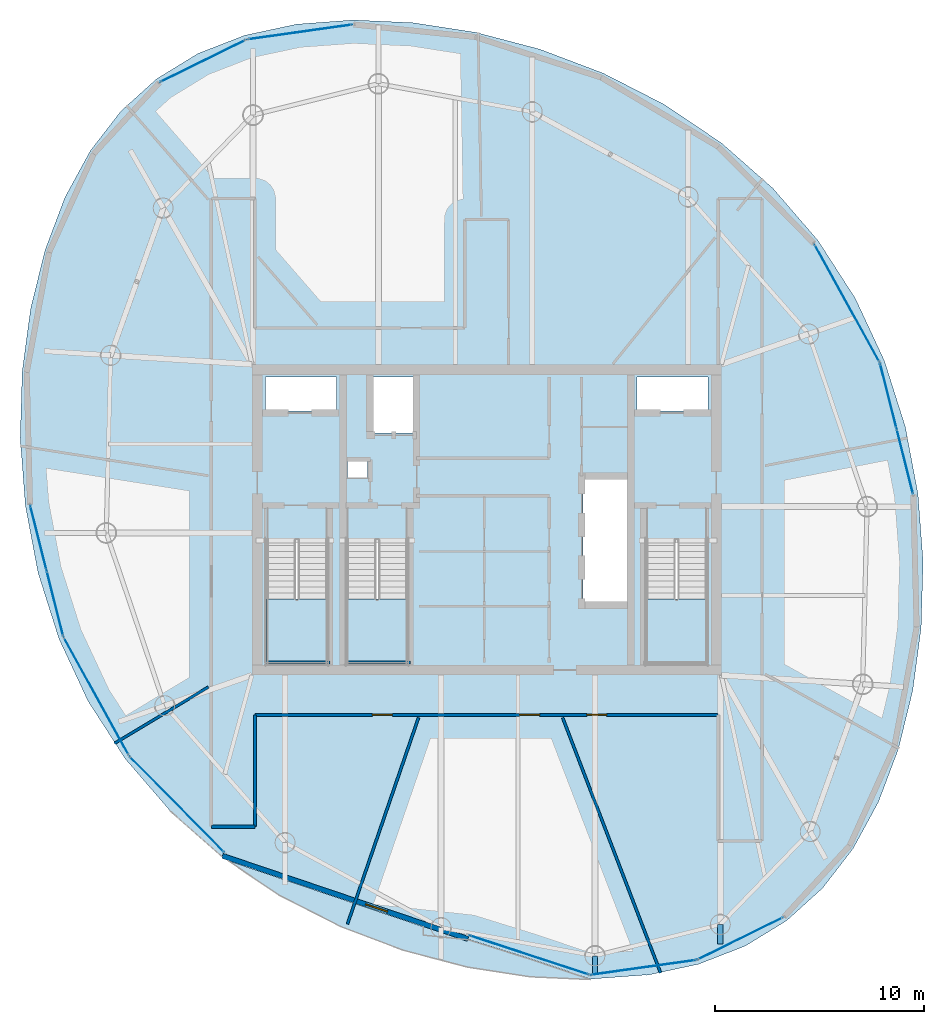
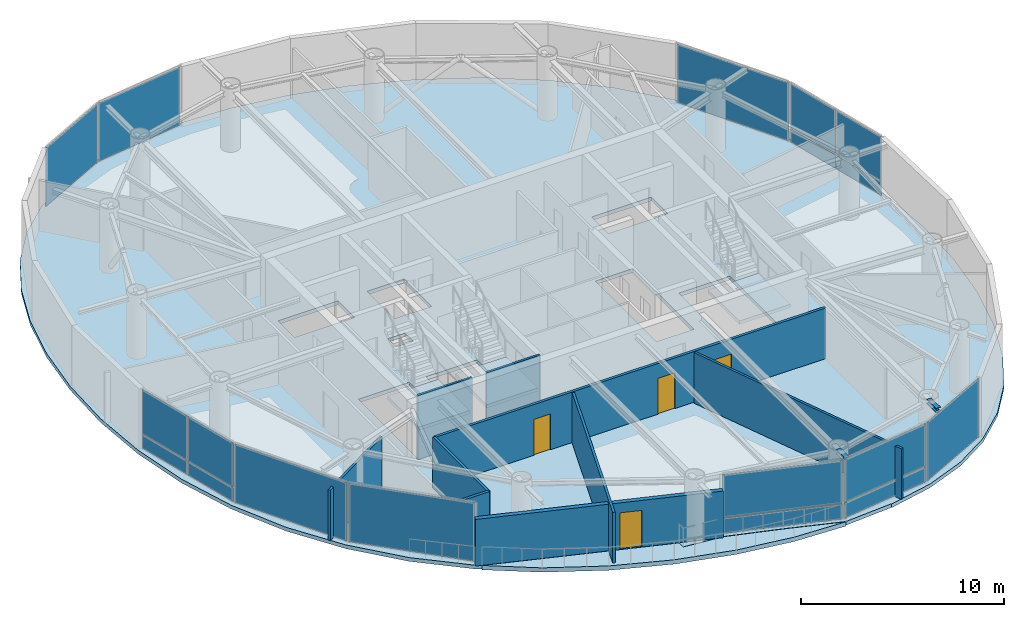
# One storey, part 14 of 20: 18 plates, 9 walls, 5 slabs, 4 doors, 2 beams, 4 openings, 13 elements without a shape of their own.
"""IFC4 building model written with IfcOpenShell, lengths in metres."""

from ifc_helpers import new_model, si_unit, direction, frame, frame_2d, origin, origin_2d, place, context, subcontext, project, spatial, polyline, rectangle, i_section, outline, extrude, material, layer, layer_set, material_profile, profile_set, type_object, element, fill, aggregate, save


model = new_model("IFC4")

# Units and contexts
model_context = context("Model", 3, precision=1e-05, world=origin(), true_north=direction((0.0, 1.0)))
body_context = subcontext(model_context, "Body", "Model", "MODEL_VIEW")
ifc_project = project(units=[si_unit("LENGTHUNIT", "METRE"), si_unit("AREAUNIT", "SQUARE_METRE"), si_unit("VOLUMEUNIT", "CUBIC_METRE"), si_unit("PLANEANGLEUNIT", "RADIAN"), si_unit("MASSUNIT", "GRAM", prefix="KILO")], contexts=[model_context])

# Site, building, storey
site_placement = place(None, origin())
site = spatial("IfcSite", under=ifc_project, at=site_placement, CompositionType="ELEMENT")
building_placement = place(site_placement, origin())
building = spatial("IfcBuilding", under=site, at=building_placement, Name="Bramvorn Convention Spire", CompositionType="ELEMENT")
storey_placement = place(building_placement, frame((0.0, 0.0, 245.89990234375)))
storey = spatial("IfcBuildingStorey", under=building, at=storey_placement, Name="L62", CompositionType="ELEMENT", Elevation=245.89990234375)

# Beams
ifc_material_1 = material(Name="Steel CSA G40.21 Grade 350 (350W)", Category="steel")
ifc_material_profile = material_profile(ifc_material_1, i_section(OverallWidth=0.25390625, OverallDepth=0.2529296875, WebThickness=0.008544921875, FlangeThickness=0.01416015625, FilletRadius=0.011962890625, at=origin_2d()))
ifc_profile_set = profile_set([ifc_material_profile], Name="Steel CSA G40.21 Grade 350 (350W) - W250X73")
beam_type = type_object("IfcBeamType", Name="BM-W250X73", PredefinedType="BEAM", material=ifc_profile_set)
beam_1_placement = place(storey_placement, frame((49.199951171875, 6.60107421875, 3.49853515625), z_axis=(0.0, -1.0, 0.0), x_axis=(1.0, 0.0, 0.0)))
element("IfcBeam", 1, at=beam_1_placement, inside=storey, type_object=beam_type, Name="L62 slab-edge cantilever tip beam MC01", PredefinedType="BEAM", context=body_context, shape_type="SweptSolid", body=[
    extrude(i_section(OverallWidth=0.25390625, OverallDepth=0.2529296875, WebThickness=0.008544921875, FlangeThickness=0.01416015625, FilletRadius=0.011962890625, at=origin_2d()), origin(), (0.0, 0.0, 1.0), 0.927978515625),
])
beam_2_placement = place(storey_placement, frame((43.1884765625, 5.09912109375, 3.49853515625), z_axis=(0.0, -1.0, 0.0), x_axis=(1.0, 0.0, 0.0)))
element("IfcBeam", 2, at=beam_2_placement, inside=storey, type_object=beam_type, Name="L62 slab-edge cantilever tip beam MC16", PredefinedType="BEAM", context=body_context, shape_type="SweptSolid", body=[
    extrude(i_section(OverallWidth=0.25390625, OverallDepth=0.2529296875, WebThickness=0.008544921875, FlangeThickness=0.01416015625, FilletRadius=0.011962890625, at=origin_2d()), origin(), (0.0, 0.0, 1.0), 0.869140625),
])

# Curtain wall, plates
ifc_material_2 = material(Name="Anodised Bronze Unitised Curtain Wall", Category="aluminium")
ifc_layer_1 = layer(ifc_material_2, 0.179931640625)
ifc_layer_set_1 = layer_set([ifc_layer_1], Name="Anodised Bronze Unitised Curtain Wall - CW-OFF-FRIT")
curtain_wall_type_1 = type_object("IfcCurtainWallType", Name="CW-OFF-FRIT", PredefinedType="USERDEFINED", material=ifc_layer_set_1)
curtain_wall_1_placement = place(storey_placement, origin())
curtain_wall_1 = element("IfcCurtainWall", 3, at=curtain_wall_1_placement, inside=storey, type_object=curtain_wall_type_1, Name="L62 fritted glass curtain wall 05", ObjectType="UNITISED CURTAIN WALL", PredefinedType="USERDEFINED")
ifc_material_3 = material(Name="Laminated Low-E Glass (Triple IGU High-VLT Low-Iron 22%)", Category="glass")
ifc_layer_2 = layer(ifc_material_3, 0.0419921875)
ifc_layer_set_2 = layer_set([ifc_layer_2], Name="Laminated Low-E Glass (Triple IGU High-VLT Low-Iron 22%) - PNL-IGU-4")
plate_type_1 = type_object("IfcPlateType", Name="PNL-IGU-4", PredefinedType="CURTAIN_PANEL", material=ifc_layer_set_2)
plate_1_placement = place(storey_placement, frame((57.2548828125, 31.930419921875, 0.06005859375), z_axis=(0.0, 0.0, 1.0), x_axis=(0.245181070619, -0.969477303814, 0.0)))
plate_1 = element("IfcPlate", 4, at=plate_1_placement, type_object=plate_type_1, Name="CW3 panel 1.1", PredefinedType="CURTAIN_PANEL", context=body_context, shape_type="SweptSolid", body=[
    extrude(rectangle(XDim=3.173095703125, YDim=0.028076171875, at=origin_2d()), origin(), (0.0, 0.0, 1.0), 0.81005859375),
])
plate_2_placement = place(storey_placement, frame((57.2548828125, 31.930419921875, 0.93017578125), z_axis=(0.0, 0.0, 1.0), x_axis=(0.245181070619, -0.969477303814, 0.0)))
plate_2 = element("IfcPlate", 5, at=plate_2_placement, type_object=plate_type_1, Name="CW3 panel 1.2", PredefinedType="CURTAIN_PANEL", context=body_context, shape_type="SweptSolid", body=[
    extrude(rectangle(XDim=3.173095703125, YDim=0.028076171875, at=origin_2d()), origin(), (0.0, 0.0, 1.0), 2.635009765625),
])
plate_3_placement = place(storey_placement, frame((58.047607421875, 28.796142578125, 0.06005859375), z_axis=(0.0, 0.0, 1.0), x_axis=(0.245181070619, -0.969477303814, 0.0)))
plate_3 = element("IfcPlate", 6, at=plate_3_placement, type_object=plate_type_1, Name="CW3 panel 2.1", PredefinedType="CURTAIN_PANEL", context=body_context, shape_type="SweptSolid", body=[
    extrude(rectangle(XDim=3.173095703125, YDim=0.028076171875, at=origin_2d()), origin(), (0.0, 0.0, 1.0), 0.81005859375),
])
plate_4_placement = place(storey_placement, frame((58.047607421875, 28.796142578125, 0.93017578125), z_axis=(0.0, 0.0, 1.0), x_axis=(0.245181070619, -0.969477303814, 0.0)))
plate_4 = element("IfcPlate", 7, at=plate_4_placement, type_object=plate_type_1, Name="CW3 panel 2.2", PredefinedType="CURTAIN_PANEL", context=body_context, shape_type="SweptSolid", body=[
    extrude(rectangle(XDim=3.173095703125, YDim=0.028076171875, at=origin_2d()), origin(), (0.0, 0.0, 1.0), 2.635009765625),
])
aggregate(curtain_wall_1, [plate_1, plate_2, plate_3, plate_4])

# Curtain wall, plate
curtain_wall_2_placement = place(storey_placement, origin())
curtain_wall_2 = element("IfcCurtainWall", 8, at=curtain_wall_2_placement, inside=storey, type_object=curtain_wall_type_1, Name="L62 fritted glass curtain wall 06", ObjectType="UNITISED CURTAIN WALL", PredefinedType="USERDEFINED")
plate_5_placement = place(storey_placement, frame((55.27294921875, 36.38330078125, 0.06005859375), z_axis=(0.0, 0.0, 1.0), x_axis=(0.483564107264, -0.875308947838, 0.0)))
plate_5 = element("IfcPlate", 9, at=plate_5_placement, type_object=plate_type_1, Name="CW3 panel 1.1", PredefinedType="CURTAIN_PANEL", context=body_context, shape_type="SweptSolid", body=[
    extrude(rectangle(XDim=6.406982421875, YDim=0.028076171875, at=origin_2d()), origin(), (0.0, 0.0, 1.0), 3.5048828125),
])
aggregate(curtain_wall_2, [plate_5])

curtain_wall_3_placement = place(storey_placement, origin())
curtain_wall_3 = element("IfcCurtainWall", 10, at=curtain_wall_3_placement, inside=storey, type_object=curtain_wall_type_1, Name="L62 fritted glass curtain wall 11", ObjectType="UNITISED CURTAIN WALL", PredefinedType="USERDEFINED")
plate_6_placement = place(storey_placement, frame((29.052734375, 49.380615234375, 0.06005859375), z_axis=(0.0, 0.0, 1.0), x_axis=(0.99027923866, 0.139093599703, 0.0)))
plate_6 = element("IfcPlate", 11, at=plate_6_placement, type_object=plate_type_1, Name="CW3 panel 1.1", PredefinedType="CURTAIN_PANEL", context=body_context, shape_type="SweptSolid", body=[
    extrude(rectangle(XDim=5.059326171875, YDim=0.028076171875, at=origin_2d()), origin(), (0.0, 0.0, 1.0), 3.5048828125),
])
aggregate(curtain_wall_3, [plate_6])

curtain_wall_4_placement = place(storey_placement, origin())
curtain_wall_4 = element("IfcCurtainWall", 12, at=curtain_wall_4_placement, inside=storey, type_object=curtain_wall_type_1, Name="L62 fritted glass curtain wall 12", ObjectType="UNITISED CURTAIN WALL", PredefinedType="USERDEFINED")
plate_7_placement = place(storey_placement, frame((24.403076171875, 47.99169921875, 0.06005859375), z_axis=(0.0, 0.0, 1.0), x_axis=(0.896839553735, 0.442355982051, 0.0)))
plate_7 = element("IfcPlate", 13, at=plate_7_placement, type_object=plate_type_1, Name="CW3 panel 1.1", PredefinedType="CURTAIN_PANEL", context=body_context, shape_type="SweptSolid", body=[
    extrude(rectangle(XDim=4.530517578125, YDim=0.028076171875, at=origin_2d()), origin(), (0.0, 0.0, 1.0), 3.5048828125),
])
aggregate(curtain_wall_4, [plate_7])

# Curtain wall, plates
curtain_wall_5_placement = place(storey_placement, origin())
curtain_wall_5 = element("IfcCurtainWall", 14, at=curtain_wall_5_placement, inside=storey, type_object=curtain_wall_type_1, Name="L62 fritted glass curtain wall 17", ObjectType="UNITISED CURTAIN WALL", PredefinedType="USERDEFINED")
plate_8_placement = place(storey_placement, frame((17.3076171875, 21.9912109375, 0.06005859375), z_axis=(0.0, 0.0, 1.0), x_axis=(-0.245181070619, 0.969477303814, 0.0)))
plate_8 = element("IfcPlate", 15, at=plate_8_placement, type_object=plate_type_1, Name="CW3 panel 1.1", PredefinedType="CURTAIN_PANEL", context=body_context, shape_type="SweptSolid", body=[
    extrude(rectangle(XDim=3.173095703125, YDim=0.028076171875, at=origin_2d()), origin(), (0.0, 0.0, 1.0), 0.81005859375),
])
plate_9_placement = place(storey_placement, frame((17.3076171875, 21.9912109375, 0.93017578125), z_axis=(0.0, 0.0, 1.0), x_axis=(-0.245181070619, 0.969477303814, 0.0)))
plate_9 = element("IfcPlate", 16, at=plate_9_placement, type_object=plate_type_1, Name="CW3 panel 1.2", PredefinedType="CURTAIN_PANEL", context=body_context, shape_type="SweptSolid", body=[
    extrude(rectangle(XDim=3.173095703125, YDim=0.028076171875, at=origin_2d()), origin(), (0.0, 0.0, 1.0), 2.635009765625),
])
plate_10_placement = place(storey_placement, frame((16.514892578125, 25.12548828125, 0.06005859375), z_axis=(0.0, 0.0, 1.0), x_axis=(-0.245181070619, 0.969477303814, 0.0)))
plate_10 = element("IfcPlate", 17, at=plate_10_placement, type_object=plate_type_1, Name="CW3 panel 2.1", PredefinedType="CURTAIN_PANEL", context=body_context, shape_type="SweptSolid", body=[
    extrude(rectangle(XDim=3.173095703125, YDim=0.028076171875, at=origin_2d()), origin(), (0.0, 0.0, 1.0), 0.81005859375),
])
plate_11_placement = place(storey_placement, frame((16.514892578125, 25.12548828125, 0.93017578125), z_axis=(0.0, 0.0, 1.0), x_axis=(-0.245181070619, 0.969477303814, 0.0)))
plate_11 = element("IfcPlate", 18, at=plate_11_placement, type_object=plate_type_1, Name="CW3 panel 2.2", PredefinedType="CURTAIN_PANEL", context=body_context, shape_type="SweptSolid", body=[
    extrude(rectangle(XDim=3.173095703125, YDim=0.028076171875, at=origin_2d()), origin(), (0.0, 0.0, 1.0), 2.635009765625),
])
aggregate(curtain_wall_5, [plate_8, plate_9, plate_10, plate_11])

# Curtain wall, plate
curtain_wall_6_placement = place(storey_placement, origin())
curtain_wall_6 = element("IfcCurtainWall", 19, at=curtain_wall_6_placement, inside=storey, type_object=curtain_wall_type_1, Name="L62 fritted glass curtain wall 18", ObjectType="UNITISED CURTAIN WALL", PredefinedType="USERDEFINED")
plate_12_placement = place(storey_placement, frame((19.289306640625, 17.538330078125, 0.06005859375), z_axis=(0.0, 0.0, 1.0), x_axis=(-0.483582330677, 0.875298880073, 0.0)))
plate_12 = element("IfcPlate", 20, at=plate_12_placement, type_object=plate_type_1, Name="CW3 panel 1.1", PredefinedType="CURTAIN_PANEL", context=body_context, shape_type="SweptSolid", body=[
    extrude(rectangle(XDim=6.406982421875, YDim=0.028076171875, at=origin_2d()), origin(), (0.0, 0.0, 1.0), 3.5048828125),
])
aggregate(curtain_wall_6, [plate_12])

curtain_wall_7_placement = place(storey_placement, origin())
curtain_wall_7 = element("IfcCurtainWall", 21, at=curtain_wall_7_placement, inside=storey, type_object=curtain_wall_type_1, Name="L62 fritted glass curtain wall 19", ObjectType="UNITISED CURTAIN WALL", PredefinedType="USERDEFINED")
plate_13_placement = place(storey_placement, frame((23.162353515625, 12.361328125, 0.06005859375), z_axis=(0.0, 0.0, 1.0), x_axis=(-0.703158315459, 0.711033320879, 0.0)))
plate_13 = element("IfcPlate", 22, at=plate_13_placement, type_object=plate_type_1, Name="CW3 panel 1.1", PredefinedType="CURTAIN_PANEL", context=body_context, shape_type="SweptSolid", body=[
    extrude(rectangle(XDim=6.406982421875, YDim=0.028076171875, at=origin_2d()), origin(), (0.0, 0.0, 1.0), 3.5048828125),
])
aggregate(curtain_wall_7, [plate_13])

curtain_wall_8_placement = place(storey_placement, origin())
curtain_wall_8 = element("IfcCurtainWall", 23, at=curtain_wall_8_placement, inside=storey, type_object=curtain_wall_type_1, Name="L62 fritted glass curtain wall 24", ObjectType="UNITISED CURTAIN WALL", PredefinedType="USERDEFINED")
plate_14_placement = place(storey_placement, frame((50.159423828125, 5.929931640625, 0.06005859375), z_axis=(0.0, 0.0, 1.0), x_axis=(-0.896843761258, -0.44234745155, 0.0)))
plate_14 = element("IfcPlate", 24, at=plate_14_placement, type_object=plate_type_1, Name="CW3 panel 1.1", PredefinedType="CURTAIN_PANEL", context=body_context, shape_type="SweptSolid", body=[
    extrude(rectangle(XDim=4.53076171875, YDim=0.028076171875, at=origin_2d()), origin(), (0.0, 0.0, 1.0), 3.5048828125),
])
aggregate(curtain_wall_8, [plate_14])

# Curtain wall, plates
ifc_layer_3 = layer(ifc_material_2, 0.219970703125)
ifc_layer_set_3 = layer_set([ifc_layer_3], Name="Anodised Bronze Unitised Curtain Wall - CW-SKYGARDEN")
curtain_wall_type_2 = type_object("IfcCurtainWallType", Name="CW-SKYGARDEN", PredefinedType="USERDEFINED", material=ifc_layer_set_3)
curtain_wall_9_placement = place(storey_placement, origin())
curtain_wall_9 = element("IfcCurtainWall", 25, at=curtain_wall_9_placement, inside=storey, type_object=curtain_wall_type_2, Name="L62 Sky Garden glazed facade 22", ObjectType="WINTER GARDEN GLAZING", PredefinedType="USERDEFINED")
ifc_material_4 = material(Name="Laminated Low-E Glass (Acoustic Laminated Podium Triple IGU)", Category="glass")
ifc_layer_4 = layer(ifc_material_4, 0.0458984375)
ifc_layer_set_4 = layer_set([ifc_layer_4], Name="Laminated Low-E Glass (Acoustic Laminated Podium Triple IGU) - PNL-IGU-5")
plate_type_2 = type_object("IfcPlateType", Name="PNL-IGU-5", PredefinedType="CURTAIN_PANEL", material=ifc_layer_set_4)
plate_15_placement = place(storey_placement, frame((40.03515625, 5.135498046875, 0.06005859375), z_axis=(0.0, 0.0, 1.0), x_axis=(-0.950206876186, 0.311619788282, 0.0)))
plate_15 = element("IfcPlate", 26, at=plate_15_placement, type_object=plate_type_2, Name="CW4 panel 1.1", PredefinedType="CURTAIN_PANEL", context=body_context, shape_type="SweptSolid", body=[
    extrude(rectangle(XDim=6.0048828125, YDim=0.028076171875, at=origin_2d()), origin(), (0.0, 0.0, 1.0), 0.909912109375),
])
plate_16_placement = place(storey_placement, frame((40.03515625, 5.135498046875, 1.0302734375), z_axis=(0.0, 0.0, 1.0), x_axis=(-0.950206876186, 0.311619788282, 0.0)))
plate_16 = element("IfcPlate", 27, at=plate_16_placement, type_object=plate_type_2, Name="CW4 panel 1.2", PredefinedType="CURTAIN_PANEL", context=body_context, shape_type="SweptSolid", body=[
    extrude(rectangle(XDim=6.0048828125, YDim=0.028076171875, at=origin_2d()), origin(), (0.0, 0.0, 1.0), 2.534912109375),
])
aggregate(curtain_wall_9, [plate_15, plate_16])

curtain_wall_10_placement = place(storey_placement, origin())
curtain_wall_10 = element("IfcCurtainWall", 28, at=curtain_wall_10_placement, inside=storey, type_object=curtain_wall_type_2, Name="L62 Sky Garden glazed facade 23", ObjectType="WINTER GARDEN GLAZING", PredefinedType="USERDEFINED")
plate_17_placement = place(storey_placement, frame((45.509521484375, 4.541259765625, 0.06005859375), z_axis=(0.0, 0.0, 1.0), x_axis=(-0.990281524517, -0.139077324534, 0.0)))
plate_17 = element("IfcPlate", 29, at=plate_17_placement, type_object=plate_type_2, Name="CW4 panel 1.1", PredefinedType="CURTAIN_PANEL", context=body_context, shape_type="SweptSolid", body=[
    extrude(rectangle(XDim=5.05908203125, YDim=0.028076171875, at=origin_2d()), origin(), (0.0, 0.0, 1.0), 0.909912109375),
])
plate_18_placement = place(storey_placement, frame((45.509521484375, 4.541259765625, 1.0302734375), z_axis=(0.0, 0.0, 1.0), x_axis=(-0.990281524517, -0.139077324534, 0.0)))
plate_18 = element("IfcPlate", 30, at=plate_18_placement, type_object=plate_type_2, Name="CW4 panel 1.2", PredefinedType="CURTAIN_PANEL", context=body_context, shape_type="SweptSolid", body=[
    extrude(rectangle(XDim=5.05908203125, YDim=0.028076171875, at=origin_2d()), origin(), (0.0, 0.0, 1.0), 2.534912109375),
])
aggregate(curtain_wall_10, [plate_17, plate_18])

# Slab
ifc_material_5 = material(Name="Concrete C40/50 Sky-Garden Terrace Slab", Category="concrete")
ifc_layer_5 = layer(ifc_material_5, 0.260009765625)
ifc_layer_set_5 = layer_set([ifc_layer_5], Name="Concrete C40/50 Sky-Garden Terrace Slab - SLB-SKYGARDEN-260")
slab_type_1 = type_object("IfcSlabType", Name="SLB-SKYGARDEN-260", PredefinedType="FLOOR", material=ifc_layer_set_5)
slab_1_placement = place(storey_placement, frame((0.0, 0.0, -0.260009765625)))
element("IfcSlab", 31, at=slab_1_placement, inside=storey, type_object=slab_type_1, Name="L62 planted double-height Sky Garden terrace slab", PredefinedType="FLOOR", context=body_context, shape_type="SweptSolid", body=[
    extrude(outline(polyline([(37.083984375, 4.56005859375), (40.091796875, 4.095703125), (42.974609375, 3.965087890625), (39.98388671875, 4.97265625), (37.095703125, 5.87158203125), (34.96240234375, 6.093505859375), (34.95556640625, 6.5), (25.5927734375, 9.668212890625), (28.05078125, 8.01220703125), (30.98193359375, 6.512939453125), (34.02099609375, 5.363525390625), (37.083984375, 4.56005859375)])), origin(), (0.0, 0.0, 1.0), 0.260009765625),
])

# Stair, slab
ifc_material_6 = material(Name="Concrete C40/50 Precast Stair", Category="concrete")
stair_type = type_object("IfcStairType", Name="ST-TOWER-1550", PredefinedType="HALF_TURN_STAIR", material=ifc_material_6)
stair_1_placement = place(storey_placement, origin())
stair_1 = element("IfcStair", 32, at=stair_1_placement, inside=storey, type_object=stair_type, Name="L62 Protected Exit Stair ST1", PredefinedType="HALF_TURN_STAIR")
ifc_material_7 = material(Name="Concrete C40/50 Stair Landing", Category="concrete")
ifc_layer_6 = layer(ifc_material_7, 0.219970703125)
ifc_layer_set_6 = layer_set([ifc_layer_6], Name="Concrete C40/50 Stair Landing - SLB-STAIR-LANDING")
slab_type_2 = type_object("IfcSlabType", Name="SLB-STAIR-LANDING", PredefinedType="LANDING", material=ifc_layer_set_6)
slab_2_placement = place(storey_placement, frame((0.0, 0.0, 1.72509765625)))
slab_2 = element("IfcSlab", 33, at=slab_2_placement, type_object=slab_type_2, Name="ST1 landing 1", PredefinedType="LANDING", context=body_context, shape_type="SweptSolid", body=[
    extrude(outline(polyline([(27.449951171875, 22.199951171875), (27.449951171875, 19.10009765625), (30.35009765625, 19.10009765625), (30.35009765625, 22.199951171875), (27.449951171875, 22.199951171875)])), origin(), (0.0, 0.0, 1.0), 0.199951171875),
])
aggregate(stair_1, [slab_2])

stair_2_placement = place(storey_placement, origin())
stair_2 = element("IfcStair", 34, at=stair_2_placement, inside=storey, type_object=stair_type, Name="L62 Protected Exit Stair ST2", PredefinedType="HALF_TURN_STAIR")
slab_3_placement = place(storey_placement, frame((0.0, 0.0, 1.72509765625)))
slab_3 = element("IfcSlab", 35, at=slab_3_placement, type_object=slab_type_2, Name="ST2 landing 1", PredefinedType="LANDING", context=body_context, shape_type="SweptSolid", body=[
    extrude(outline(polyline([(45.64990234375, 22.199951171875), (45.64990234375, 19.10009765625), (48.550048828125, 19.10009765625), (48.550048828125, 22.199951171875), (45.64990234375, 22.199951171875)])), origin(), (0.0, 0.0, 1.0), 0.199951171875),
])
aggregate(stair_2, [slab_3])

stair_3_placement = place(storey_placement, origin())
stair_3 = element("IfcStair", 36, at=stair_3_placement, inside=storey, type_object=stair_type, Name="L62 Protected Exit Stair ST3", PredefinedType="HALF_TURN_STAIR")
slab_4_placement = place(storey_placement, frame((0.0, 0.0, 1.72509765625)))
slab_4 = element("IfcSlab", 37, at=slab_4_placement, type_object=slab_type_2, Name="ST3 landing 1", PredefinedType="LANDING", context=body_context, shape_type="SweptSolid", body=[
    extrude(outline(polyline([(31.300048828125, 22.199951171875), (31.300048828125, 19.10009765625), (34.199951171875, 19.10009765625), (34.199951171875, 22.199951171875), (31.300048828125, 22.199951171875)])), origin(), (0.0, 0.0, 1.0), 0.199951171875),
])
aggregate(stair_3, [slab_4])

# Slab
ifc_material_8 = material(Name="Concrete C40/50", Category="concrete")
ifc_layer_7 = layer(ifc_material_8, 0.22509765625)
ifc_layer_set_7 = layer_set([ifc_layer_7], Name="Concrete C40/50 - SLB-Z4-225")
slab_type_3 = type_object("IfcSlabType", Name="SLB-Z4-225", PredefinedType="FLOOR", material=ifc_layer_set_7)
slab_5_placement = place(storey_placement, frame((0.0, 0.0, -0.224853515625)))
element("IfcSlab", 38, at=slab_5_placement, inside=storey, type_object=slab_type_3, Name="L62 tower floor slab", PredefinedType="FLOOR", context=body_context, shape_type="SweptSolid", body=[
    extrude(outline(polyline([(50.395751953125, 5.56982421875), (48.15869140625, 4.699462890625), (45.677001953125, 4.166015625), (45.656982421875, 4.16455078125), (45.67529296875, 4.18603515625), (42.977294921875, 3.9853515625), (39.990478515625, 4.99169921875), (37.1015625, 5.890869140625), (36.66552734375, 5.9384765625), (36.66552734375, 5.91845703125), (34.965576171875, 6.102783203125), (34.965576171875, 6.50732421875), (25.561279296875, 9.689453125), (25.30908203125, 9.859375), (22.8310546875, 12.043212890625), (20.67724609375, 14.53955078125), (18.890380859375, 17.310791015625), (17.4951171875, 20.304443359375), (16.497314453125, 23.4560546875), (15.88671875, 26.69140625), (15.64208984375, 29.93115234375), (15.736083984375, 33.0966796875), (16.139892578125, 36.113037109375), (16.82861328125, 38.915283203125), (17.7841796875, 41.450927734375), (18.99658203125, 43.68115234375), (20.46337890625, 45.58154296875), (22.185791015625, 47.139404296875), (24.16650390625, 48.351806640625), (26.403564453125, 49.222412109375), (28.885498046875, 49.755615234375), (31.587646484375, 49.95654296875), (34.470458984375, 49.826171875), (37.478271484375, 49.36181640625), (40.541259765625, 48.55810546875), (43.580322265625, 47.408935546875), (46.51171875, 45.90966796875), (49.253173828125, 44.0625), (51.731201171875, 41.878662109375), (53.885009765625, 39.382080078125), (55.671875, 36.611083984375), (57.067138671875, 33.617431640625), (58.065185546875, 30.4658203125), (58.67578125, 27.23046875), (58.92041015625, 23.990478515625), (58.826416015625, 20.8251953125), (58.422607421875, 17.808837890625), (57.733642578125, 15.00634765625), (56.778076171875, 12.470703125), (55.565673828125, 10.240478515625), (54.09912109375, 8.34033203125), (52.376708984375, 6.782470703125), (50.395751953125, 5.56982421875)]), holes=[polyline([(27.449951171875, 25.050048828125), (27.449951171875, 19.10009765625), (30.35009765625, 19.10009765625), (30.35009765625, 25.050048828125), (27.449951171875, 25.050048828125)]), polyline([(45.64990234375, 25.050048828125), (45.64990234375, 19.10009765625), (48.550048828125, 19.10009765625), (48.550048828125, 25.050048828125), (45.64990234375, 25.050048828125)]), polyline([(31.300048828125, 25.050048828125), (31.300048828125, 19.10009765625), (34.199951171875, 19.10009765625), (34.199951171875, 25.050048828125), (31.300048828125, 25.050048828125)]), polyline([(27.39990234375, 31.219970703125), (30.800048828125, 31.219970703125), (30.800048828125, 32.85009765625), (27.39990234375, 32.85009765625), (27.39990234375, 31.219970703125)]), polyline([(45.199951171875, 31.219970703125), (48.60009765625, 31.219970703125), (48.60009765625, 32.85009765625), (45.199951171875, 32.85009765625), (45.199951171875, 31.219970703125)]), polyline([(32.449951171875, 30.14990234375), (34.56005859375, 30.14990234375), (34.56005859375, 32.85009765625), (32.449951171875, 32.85009765625), (32.449951171875, 30.14990234375)]), polyline([(42.6201171875, 22.0), (44.75, 22.0), (44.75, 28.0), (42.6201171875, 28.0), (42.6201171875, 22.0)]), polyline([(31.320068359375, 28.02001953125), (32.280029296875, 28.02001953125), (32.280029296875, 28.820068359375), (31.320068359375, 28.820068359375), (31.320068359375, 28.02001953125)])]), origin(), (0.0, 0.0, 1.0), 0.224853515625),
])

# Wall, opening, door
ifc_material_9 = material(Name="Precast Concrete C40/50 Insulated Terrace Wall", Category="concrete")
ifc_layer_8 = layer(ifc_material_9, 0.280029296875)
ifc_layer_set_8 = layer_set([ifc_layer_8], Name="Precast Concrete C40/50 Insulated Terrace Wall - WL-EXT-TERR-280")
wall_type_1 = type_object("IfcWallType", Name="WL-EXT-TERR-280", PredefinedType="SOLIDWALL", material=ifc_layer_set_8)
wall_1_placement = place(storey_placement, frame((37.10107421875, 5.911376953125, 0.0), z_axis=(0.0, 0.0, 1.0), x_axis=(-0.947242597845, 0.320517489115, 0.0)))
wall_1 = element("IfcWall", 39, at=wall_1_placement, inside=storey, type_object=wall_type_1, Name="L62 Sky Garden recessed terrace wall", PredefinedType="SOLIDWALL", context=body_context, shape_type="SweptSolid", body=[
    extrude(rectangle(XDim=12.42041015625, YDim=0.239990234375, at=frame_2d((6.210205078125, 0.0))), origin(), (0.0, 0.0, 1.0), 2.800048828125),
])
opening_1_placement = place(wall_1_placement, frame((4.0751953125, 0.0, 0.0)))
opening_1 = element("IfcOpeningElement", 40, at=opening_1_placement, cuts=wall_1, Name="Opening DE05", PredefinedType="OPENING", context=body_context, shape_type="SweptSolid", body=[
    extrude(rectangle(XDim=1.10009765625, YDim=2.199951171875, at=frame_2d((0.550048828125, 1.10009765625))), frame((0.0, 0.1298828125, 0.0), z_axis=(0.0, -1.0, 0.0), x_axis=(1.0, 0.0, 0.0)), (0.0, 0.0, 1.0), 0.260009765625),
])
ifc_material_10 = material(Name="Anodised Bronze Aluminium & Laminated Safety Glass", Category="aluminium")
door_type_1 = type_object("IfcDoorType", Name="DR-EXT-1100X2200", OperationType="NOTDEFINED", PredefinedType="DOOR", material=ifc_material_10)
door_1_placement = place(opening_1_placement, origin())
door_1 = element("IfcDoor", 41, at=door_1_placement, inside=storey, type_object=door_type_1, Name="L62 Sky Garden Lounge exterior terrace door", OperationType="SINGLE_SWING_LEFT", OverallHeight=2.199951171875, OverallWidth=1.10009765625, PredefinedType="DOOR", context=body_context, shape_type="SweptSolid", body=[
    extrude(rectangle(XDim=1.10009765625, YDim=2.199951171875, at=frame_2d((0.550048828125, 1.10009765625))), frame((0.0, 0.02490234375, 0.0), z_axis=(0.0, -1.0, 0.0), x_axis=(1.0, 0.0, 0.0)), (0.0, 0.0, 1.0), 0.050048828125),
])
fill(opening_1, door_1)

# Walls
ifc_material_11 = material(Name="Metal-Stud Demountable Office Partition", Category="gypsum")
ifc_layer_9 = layer(ifc_material_11, 0.1298828125)
ifc_layer_set_9 = layer_set([ifc_layer_9], Name="Metal-Stud Demountable Office Partition - WL-PART-130")
wall_type_2 = type_object("IfcWallType", Name="WL-PART-130", PredefinedType="PARTITIONING", material=ifc_layer_set_9)
wall_2_placement = place(storey_placement, frame((24.659912109375, 17.984619140625, 0.0), z_axis=(0.0, 0.0, 1.0), x_axis=(-0.857152112753, -0.515063351057, 0.0)))
element("IfcWall", 42, at=wall_2_placement, inside=storey, type_object=wall_type_2, Name="L62 Tenant suite partition 6", PredefinedType="PARTITIONING", context=body_context, shape_type="SweptSolid", body=[
    extrude(rectangle(XDim=5.2490234375, YDim=0.1298828125, at=frame_2d((2.62451171875, 0.0))), origin(), (0.0, 0.0, 1.0), 3.0400390625),
])
wall_3_placement = place(storey_placement, frame((34.732421875, 16.510009765625, 0.0), z_axis=(0.0, 0.0, 1.0), x_axis=(-0.325579978914, -0.945514504029, 0.0)))
element("IfcWall", 43, at=wall_3_placement, inside=storey, type_object=wall_type_2, Name="L62 Tenant suite partition 7", PredefinedType="PARTITIONING", context=body_context, shape_type="SweptSolid", body=[
    extrude(rectangle(XDim=10.46142578125, YDim=0.1298828125, at=frame_2d((5.230712890625, 0.0))), origin(), (0.0, 0.0, 1.0), 3.0400390625),
])
wall_4_placement = place(storey_placement, frame((41.642822265625, 16.510009765625, 0.0), z_axis=(0.0, 0.0, 1.0), x_axis=(0.35837217609, -0.933578804068, 0.0)))
element("IfcWall", 44, at=wall_4_placement, inside=storey, type_object=wall_type_2, Name="L62 Tenant suite partition 8", PredefinedType="PARTITIONING", context=body_context, shape_type="SweptSolid", body=[
    extrude(rectangle(XDim=13.1025390625, YDim=0.1298828125, at=frame_2d((6.55126953125, 0.0))), origin(), (0.0, 0.0, 1.0), 3.0400390625),
])

# Wall, openings, doors
ifc_material_12 = material(Name="Acoustic Metal-Stud Tenant/Corridor Partition", Category="gypsum")
ifc_layer_10 = layer(ifc_material_12, 0.14990234375)
ifc_layer_set_10 = layer_set([ifc_layer_10], Name="Acoustic Metal-Stud Tenant/Corridor Partition - WL-PART-150")
wall_type_3 = type_object("IfcWallType", Name="WL-PART-150", PredefinedType="PARTITIONING", material=ifc_layer_set_10)
wall_5_placement = place(storey_placement, frame((26.89990234375, 16.64990234375, 0.0), z_axis=(0.0, 0.0, 1.0), x_axis=(1.0, 0.0, 0.0)))
wall_5 = element("IfcWall", 45, at=wall_5_placement, inside=storey, type_object=wall_type_3, Name="L62 South H-crossbar wall", PredefinedType="PARTITIONING", context=body_context, shape_type="SweptSolid", body=[
    extrude(rectangle(XDim=22.2001953125, YDim=0.14990234375, at=frame_2d((11.10009765625, 0.0))), origin(), (0.0, 0.0, 1.0), 3.0400390625),
])
opening_2_placement = place(wall_5_placement, frame((5.626708984375, 0.0, 0.0)))
opening_2 = element("IfcOpeningElement", 46, at=opening_2_placement, cuts=wall_5, Name="Opening DH-095", PredefinedType="OPENING", context=body_context, shape_type="SweptSolid", body=[
    extrude(rectangle(XDim=0.949951171875, YDim=2.14990234375, at=frame_2d((0.47509765625, 1.074951171875))), frame((0.0, 0.0849609375, 0.0), z_axis=(0.0, -1.0, 0.0), x_axis=(1.0, 0.0, 0.0)), (0.0, 0.0, 1.0), 0.169921875),
])
opening_3_placement = place(wall_5_placement, frame((12.684326171875, 0.0, 0.0)))
opening_3 = element("IfcOpeningElement", 47, at=opening_3_placement, cuts=wall_5, Name="Opening DH-095", PredefinedType="OPENING", context=body_context, shape_type="SweptSolid", body=[
    extrude(rectangle(XDim=0.949951171875, YDim=2.14990234375, at=frame_2d((0.47509765625, 1.074951171875))), frame((0.0, 0.0849609375, 0.0), z_axis=(0.0, -1.0, 0.0), x_axis=(1.0, 0.0, 0.0)), (0.0, 0.0, 1.0), 0.169921875),
])
opening_4_placement = place(wall_5_placement, frame((15.904052734375, 0.0, 0.0)))
opening_4 = element("IfcOpeningElement", 48, at=opening_4_placement, cuts=wall_5, Name="Opening DH-095", PredefinedType="OPENING", context=body_context, shape_type="SweptSolid", body=[
    extrude(rectangle(XDim=0.949951171875, YDim=2.14990234375, at=frame_2d((0.47509765625, 1.074951171875))), frame((0.0, 0.0849609375, 0.0), z_axis=(0.0, -1.0, 0.0), x_axis=(1.0, 0.0, 0.0)), (0.0, 0.0, 1.0), 0.169921875),
])
ifc_material_13 = material(Name="Solid-Core Acoustic Guestroom Entry Door", Category="wood")
door_type_2 = type_object("IfcDoorType", Name="DR-HOTEL-950", OperationType="NOTDEFINED", PredefinedType="DOOR", material=ifc_material_13)
door_2_placement = place(opening_2_placement, origin())
door_2 = element("IfcDoor", 49, at=door_2_placement, inside=storey, type_object=door_type_2, Name="L62 Sky Garden Lounge door", OperationType="SINGLE_SWING_RIGHT", OverallHeight=2.14990234375, OverallWidth=0.949951171875, PredefinedType="DOOR", context=body_context, shape_type="SweptSolid", body=[
    extrude(rectangle(XDim=0.949951171875, YDim=2.14990234375, at=frame_2d((0.47509765625, 1.074951171875))), frame((0.0, 0.02490234375, 0.0), z_axis=(0.0, -1.0, 0.0), x_axis=(1.0, 0.0, 0.0)), (0.0, 0.0, 1.0), 0.050048828125),
])
fill(opening_2, door_2)
door_3_placement = place(opening_3_placement, origin())
door_3 = element("IfcDoor", 50, at=door_3_placement, inside=storey, type_object=door_type_2, Name="L62 Records Store 8 door", OperationType="SINGLE_SWING_LEFT", OverallHeight=2.14990234375, OverallWidth=0.949951171875, PredefinedType="DOOR", context=body_context, shape_type="SweptSolid", body=[
    extrude(rectangle(XDim=0.949951171875, YDim=2.14990234375, at=frame_2d((0.47509765625, 1.074951171875))), frame((0.0, 0.02490234375, 0.0), z_axis=(0.0, -1.0, 0.0), x_axis=(1.0, 0.0, 0.0)), (0.0, 0.0, 1.0), 0.050048828125),
])
fill(opening_3, door_3)
door_4_placement = place(opening_4_placement, origin())
door_4 = element("IfcDoor", 51, at=door_4_placement, inside=storey, type_object=door_type_2, Name="L62 Tenant Briefing Room 9 door", OperationType="SINGLE_SWING_LEFT", OverallHeight=2.14990234375, OverallWidth=0.949951171875, PredefinedType="DOOR", context=body_context, shape_type="SweptSolid", body=[
    extrude(rectangle(XDim=0.949951171875, YDim=2.14990234375, at=frame_2d((0.47509765625, 1.074951171875))), frame((0.0, 0.02490234375, 0.0), z_axis=(0.0, -1.0, 0.0), x_axis=(1.0, 0.0, 0.0)), (0.0, 0.0, 1.0), 0.050048828125),
])
fill(opening_4, door_4)

# Walls
wall_6_placement = place(storey_placement, frame((26.89990234375, 11.289794921875, 0.0), z_axis=(0.0, 0.0, 1.0), x_axis=(0.0, 1.0, 0.0)))
element("IfcWall", 52, at=wall_6_placement, inside=storey, type_object=wall_type_3, Name="L62 West gallery SE wall", PredefinedType="PARTITIONING", context=body_context, shape_type="SweptSolid", body=[
    extrude(rectangle(XDim=5.360107421875, YDim=0.14990234375, at=frame_2d((2.68017578125, 0.0))), origin(), (0.0, 0.0, 1.0), 3.0400390625),
])
wall_7_placement = place(storey_placement, frame((24.800048828125, 11.289794921875, 0.0), z_axis=(0.0, 0.0, 1.0), x_axis=(1.0, 0.0, 0.0)))
element("IfcWall", 53, at=wall_7_placement, inside=storey, type_object=wall_type_3, Name="L62 West gallery south end", PredefinedType="PARTITIONING", context=body_context, shape_type="SweptSolid", body=[
    extrude(rectangle(XDim=2.099853515625, YDim=0.14990234375, at=frame_2d((1.0498046875, 0.0))), origin(), (0.0, 0.0, 1.0), 3.0400390625),
])
ifc_material_14 = material(Name="Concrete C50/60", Category="concrete")
ifc_layer_11 = layer(ifc_material_14, 0.1201171875)
ifc_layer_set_11 = layer_set([ifc_layer_11], Name="Concrete C50/60 - WL-STAIR-RC-120")
wall_type_4 = type_object("IfcWallType", Name="WL-STAIR-RC-120", PredefinedType="SHEAR", material=ifc_layer_set_11)
wall_8_placement = place(storey_placement, frame((27.39501953125, 19.159912109375, 0.0), z_axis=(0.0, 0.0, 1.0), x_axis=(1.0, 0.0, 0.0)))
element("IfcWall", 54, at=wall_8_placement, inside=storey, type_object=wall_type_4, Name="L62 ST1 south bearing shear wall", PredefinedType="SHEAR", context=body_context, shape_type="SweptSolid", body=[
    extrude(rectangle(XDim=3.094970703125, YDim=0.1201171875, at=frame_2d((1.54736328125, 0.0))), origin(), (0.0, 0.0, 1.0), 3.85009765625),
])
wall_9_placement = place(storey_placement, frame((31.300048828125, 19.159912109375, 0.0), z_axis=(0.0, 0.0, 1.0), x_axis=(1.0, 0.0, 0.0)))
element("IfcWall", 55, at=wall_9_placement, inside=storey, type_object=wall_type_4, Name="L62 ST3 south bearing shear wall", PredefinedType="SHEAR", context=body_context, shape_type="SweptSolid", body=[
    extrude(rectangle(XDim=3.0400390625, YDim=0.1201171875, at=frame_2d((1.52001953125, 0.0))), origin(), (0.0, 0.0, 1.0), 3.85009765625),
])

save(model, "model.ifc")
